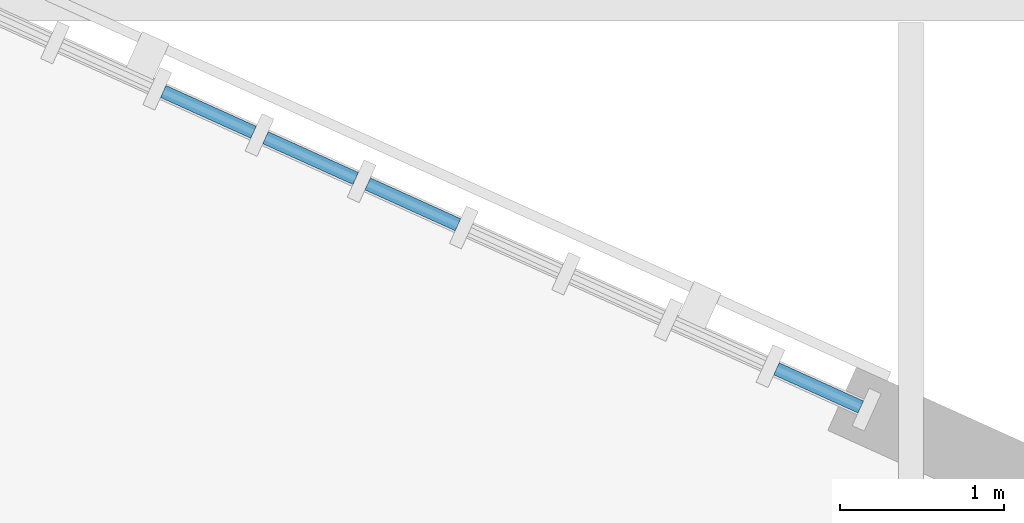
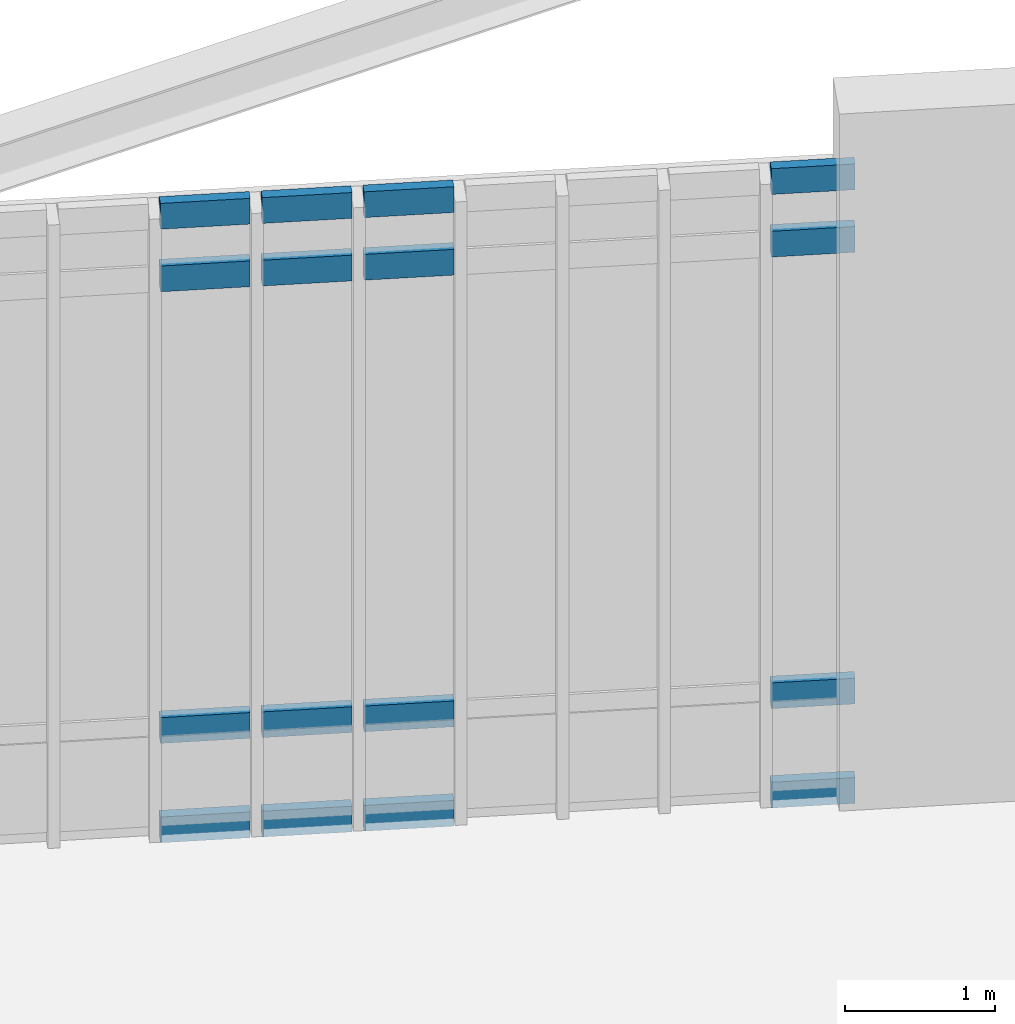
# One storey, part 61 of 135: 16 members, 1 element without a shape of its own.
"""IFC4 building model written with IfcOpenShell, lengths in metres."""

from ifc_helpers import new_model, si_unit, direction, frame, origin, origin_2d, place, context, subcontext, project, spatial, rectangle, extrude, material, material_profile, profile_set, type_object, element, aggregate, save


model = new_model("IFC4")

# Units and contexts
model_context = context("Model", 3, precision=1e-05, world=origin(), true_north=direction((0.0, 1.0)))
body_context = subcontext(model_context, "Body", "Model", "MODEL_VIEW")
ifc_project = project(units=[si_unit("LENGTHUNIT", "METRE"), si_unit("AREAUNIT", "SQUARE_METRE"), si_unit("VOLUMEUNIT", "CUBIC_METRE"), si_unit("PLANEANGLEUNIT", "RADIAN"), si_unit("MASSUNIT", "GRAM", prefix="KILO")], contexts=[model_context])

# Site, building, storey
site_placement = place(None, origin())
site = spatial("IfcSite", under=ifc_project, at=site_placement, CompositionType="ELEMENT")
building_placement = place(site_placement, origin())
building = spatial("IfcBuilding", under=site, at=building_placement, Name="Larkvane Passage Sports Hall", CompositionType="ELEMENT")
storey_placement = place(building_placement, frame((0.0, 0.0, 10.800048828125)))
storey = spatial("IfcBuildingStorey", under=building, at=storey_placement, Name="L02", CompositionType="ELEMENT", Elevation=10.800048828125)

# Curtain wall, members
ifc_material_1 = material(Name="Thermally broken aluminium and low-E glazing", Category="aluminium")
curtain_wall_type = type_object("IfcCurtainWallType", Name="CW-STICK-FOYER", PredefinedType="USERDEFINED", material=ifc_material_1)
curtain_wall_placement = place(storey_placement, origin())
curtain_wall = element("IfcCurtainWall", 1, at=curtain_wall_placement, inside=storey, type_object=curtain_wall_type, Name="Curtain wall CW5-L02-078", ObjectType="STICK CURTAIN WALL", PredefinedType="USERDEFINED")
ifc_material_2 = material(Name="Anodised aluminium 6063-T6", Category="aluminium")
ifc_material_profile = material_profile(ifc_material_2, rectangle(XDim=0.080078125, YDim=0.2099609375, at=origin_2d()), Name="ALU-TRN-80x210")
ifc_profile_set = profile_set([ifc_material_profile], Name="Anodised aluminium 6063-T6")
member_type = type_object("IfcMemberType", Name="CW-TRN-80x210", PredefinedType="USERDEFINED", material=ifc_profile_set)
member_1_placement = place(storey_placement, frame((78.080810546875, 106.220458984375, 0.0400390625), z_axis=(0.911238237938, -0.411879683548, 0.0), x_axis=(0.411879683548, 0.911238237938, 0.0)))
member_1 = element("IfcMember", 2, at=member_1_placement, type_object=member_type, Name="CW-03 transom 3.1", ObjectType="TRANSOM", PredefinedType="USERDEFINED", context=body_context, shape_type="SweptSolid", body=[
    extrude(rectangle(XDim=0.080078125, YDim=0.2099609375, at=origin_2d()), origin(), (0.0, 0.0, 1.0), 0.602783203125),
])
member_2_placement = place(storey_placement, frame((78.080810546875, 106.220458984375, 0.849853515625), z_axis=(0.911238237938, -0.411879683548, 0.0), x_axis=(0.411879683548, 0.911238237938, 0.0)))
member_2 = element("IfcMember", 3, at=member_2_placement, type_object=member_type, Name="CW-03 transom 3.2", ObjectType="TRANSOM", PredefinedType="USERDEFINED", context=body_context, shape_type="SweptSolid", body=[
    extrude(rectangle(XDim=0.080078125, YDim=0.2099609375, at=origin_2d()), origin(), (0.0, 0.0, 1.0), 0.602783203125),
])
member_3_placement = place(storey_placement, frame((78.080810546875, 106.220458984375, 4.530029296875), z_axis=(0.911238237938, -0.411879683548, 0.0), x_axis=(0.411879683548, 0.911238237938, 0.0)))
member_3 = element("IfcMember", 4, at=member_3_placement, type_object=member_type, Name="CW-03 transom 3.3", ObjectType="TRANSOM", PredefinedType="USERDEFINED", context=body_context, shape_type="SweptSolid", body=[
    extrude(rectangle(XDim=0.080078125, YDim=0.2099609375, at=origin_2d()), origin(), (0.0, 0.0, 1.0), 0.602783203125),
])
member_4_placement = place(storey_placement, frame((78.080810546875, 106.220458984375, 5.0400390625), z_axis=(0.911238237938, -0.411879683548, 0.0), x_axis=(0.411879683548, 0.911238237938, 0.0)))
member_4 = element("IfcMember", 5, at=member_4_placement, type_object=member_type, Name="CW-03 transom 3.4", ObjectType="TRANSOM", PredefinedType="USERDEFINED", context=body_context, shape_type="SweptSolid", body=[
    extrude(rectangle(XDim=0.080078125, YDim=0.2099609375, at=origin_2d()), origin(), (0.0, 0.0, 1.0), 0.602783203125),
])
member_5_placement = place(storey_placement, frame((78.703125, 105.93896484375, 0.0400390625), z_axis=(0.911238237938, -0.411879683548, 0.0), x_axis=(0.411879683548, 0.911238237938, 0.0)))
member_5 = element("IfcMember", 6, at=member_5_placement, type_object=member_type, Name="CW-03 transom 4.1", ObjectType="TRANSOM", PredefinedType="USERDEFINED", context=body_context, shape_type="SweptSolid", body=[
    extrude(rectangle(XDim=0.080078125, YDim=0.2099609375, at=origin_2d()), origin(), (0.0, 0.0, 1.0), 0.602783203125),
])
member_6_placement = place(storey_placement, frame((78.703125, 105.93896484375, 0.849853515625), z_axis=(0.911238237938, -0.411879683548, 0.0), x_axis=(0.411879683548, 0.911238237938, 0.0)))
member_6 = element("IfcMember", 7, at=member_6_placement, type_object=member_type, Name="CW-03 transom 4.2", ObjectType="TRANSOM", PredefinedType="USERDEFINED", context=body_context, shape_type="SweptSolid", body=[
    extrude(rectangle(XDim=0.080078125, YDim=0.2099609375, at=origin_2d()), origin(), (0.0, 0.0, 1.0), 0.602783203125),
])
member_7_placement = place(storey_placement, frame((78.703125, 105.93896484375, 4.530029296875), z_axis=(0.911238237938, -0.411879683548, 0.0), x_axis=(0.411879683548, 0.911238237938, 0.0)))
member_7 = element("IfcMember", 8, at=member_7_placement, type_object=member_type, Name="CW-03 transom 4.3", ObjectType="TRANSOM", PredefinedType="USERDEFINED", context=body_context, shape_type="SweptSolid", body=[
    extrude(rectangle(XDim=0.080078125, YDim=0.2099609375, at=origin_2d()), origin(), (0.0, 0.0, 1.0), 0.602783203125),
])
member_8_placement = place(storey_placement, frame((78.703125, 105.93896484375, 5.0400390625), z_axis=(0.911238237938, -0.411879683548, 0.0), x_axis=(0.411879683548, 0.911238237938, 0.0)))
member_8 = element("IfcMember", 9, at=member_8_placement, type_object=member_type, Name="CW-03 transom 4.4", ObjectType="TRANSOM", PredefinedType="USERDEFINED", context=body_context, shape_type="SweptSolid", body=[
    extrude(rectangle(XDim=0.080078125, YDim=0.2099609375, at=origin_2d()), origin(), (0.0, 0.0, 1.0), 0.602783203125),
])
member_9_placement = place(storey_placement, frame((79.325439453125, 105.65771484375, 0.0400390625), z_axis=(0.91108619842, -0.412215888885, 0.0), x_axis=(0.412215888885, 0.91108619842, 0.0)))
member_9 = element("IfcMember", 10, at=member_9_placement, type_object=member_type, Name="CW-03 transom 5.1", ObjectType="TRANSOM", PredefinedType="USERDEFINED", context=body_context, shape_type="SweptSolid", body=[
    extrude(rectangle(XDim=0.080078125, YDim=0.2099609375, at=origin_2d()), origin(), (0.0, 0.0, 1.0), 0.60302734375),
])
member_10_placement = place(storey_placement, frame((79.325439453125, 105.65771484375, 0.849853515625), z_axis=(0.91108619842, -0.412215888885, 0.0), x_axis=(0.412215888885, 0.91108619842, 0.0)))
member_10 = element("IfcMember", 11, at=member_10_placement, type_object=member_type, Name="CW-03 transom 5.2", ObjectType="TRANSOM", PredefinedType="USERDEFINED", context=body_context, shape_type="SweptSolid", body=[
    extrude(rectangle(XDim=0.080078125, YDim=0.2099609375, at=origin_2d()), origin(), (0.0, 0.0, 1.0), 0.60302734375),
])
member_11_placement = place(storey_placement, frame((79.325439453125, 105.65771484375, 4.530029296875), z_axis=(0.91108619842, -0.412215888885, 0.0), x_axis=(0.412215888885, 0.91108619842, 0.0)))
member_11 = element("IfcMember", 12, at=member_11_placement, type_object=member_type, Name="CW-03 transom 5.3", ObjectType="TRANSOM", PredefinedType="USERDEFINED", context=body_context, shape_type="SweptSolid", body=[
    extrude(rectangle(XDim=0.080078125, YDim=0.2099609375, at=origin_2d()), origin(), (0.0, 0.0, 1.0), 0.60302734375),
])
member_12_placement = place(storey_placement, frame((79.325439453125, 105.65771484375, 5.0400390625), z_axis=(0.91108619842, -0.412215888885, 0.0), x_axis=(0.412215888885, 0.91108619842, 0.0)))
member_12 = element("IfcMember", 13, at=member_12_placement, type_object=member_type, Name="CW-03 transom 5.4", ObjectType="TRANSOM", PredefinedType="USERDEFINED", context=body_context, shape_type="SweptSolid", body=[
    extrude(rectangle(XDim=0.080078125, YDim=0.2099609375, at=origin_2d()), origin(), (0.0, 0.0, 1.0), 0.60302734375),
])
member_13_placement = place(storey_placement, frame((81.814208984375, 104.53173828125, 0.0400390625), z_axis=(0.911018730491, -0.412364975106, 0.0), x_axis=(0.412364975106, 0.911018730491, 0.0)))
member_13 = element("IfcMember", 14, at=member_13_placement, type_object=member_type, Name="CW-03 transom 9.1", ObjectType="TRANSOM", PredefinedType="USERDEFINED", context=body_context, shape_type="SweptSolid", body=[
    extrude(rectangle(XDim=0.080078125, YDim=0.2099609375, at=origin_2d()), origin(), (0.0, 0.0, 1.0), 0.56298828125),
])
member_14_placement = place(storey_placement, frame((81.814208984375, 104.53173828125, 0.849853515625), z_axis=(0.911018730491, -0.412364975106, 0.0), x_axis=(0.412364975106, 0.911018730491, 0.0)))
member_14 = element("IfcMember", 15, at=member_14_placement, type_object=member_type, Name="CW-03 transom 9.2", ObjectType="TRANSOM", PredefinedType="USERDEFINED", context=body_context, shape_type="SweptSolid", body=[
    extrude(rectangle(XDim=0.080078125, YDim=0.2099609375, at=origin_2d()), origin(), (0.0, 0.0, 1.0), 0.56298828125),
])
member_15_placement = place(storey_placement, frame((81.814208984375, 104.53173828125, 4.530029296875), z_axis=(0.911018730491, -0.412364975106, 0.0), x_axis=(0.412364975106, 0.911018730491, 0.0)))
member_15 = element("IfcMember", 16, at=member_15_placement, type_object=member_type, Name="CW-03 transom 9.3", ObjectType="TRANSOM", PredefinedType="USERDEFINED", context=body_context, shape_type="SweptSolid", body=[
    extrude(rectangle(XDim=0.080078125, YDim=0.2099609375, at=origin_2d()), origin(), (0.0, 0.0, 1.0), 0.56298828125),
])
member_16_placement = place(storey_placement, frame((81.814208984375, 104.53173828125, 5.0400390625), z_axis=(0.911018730491, -0.412364975106, 0.0), x_axis=(0.412364975106, 0.911018730491, 0.0)))
member_16 = element("IfcMember", 17, at=member_16_placement, type_object=member_type, Name="CW-03 transom 9.4", ObjectType="TRANSOM", PredefinedType="USERDEFINED", context=body_context, shape_type="SweptSolid", body=[
    extrude(rectangle(XDim=0.080078125, YDim=0.2099609375, at=origin_2d()), origin(), (0.0, 0.0, 1.0), 0.56298828125),
])
aggregate(curtain_wall, [member_1, member_2, member_3, member_4, member_5, member_6, member_7, member_8, member_9, member_10, member_11, member_12, member_13, member_14, member_15, member_16])

save(model, "model.ifc")
